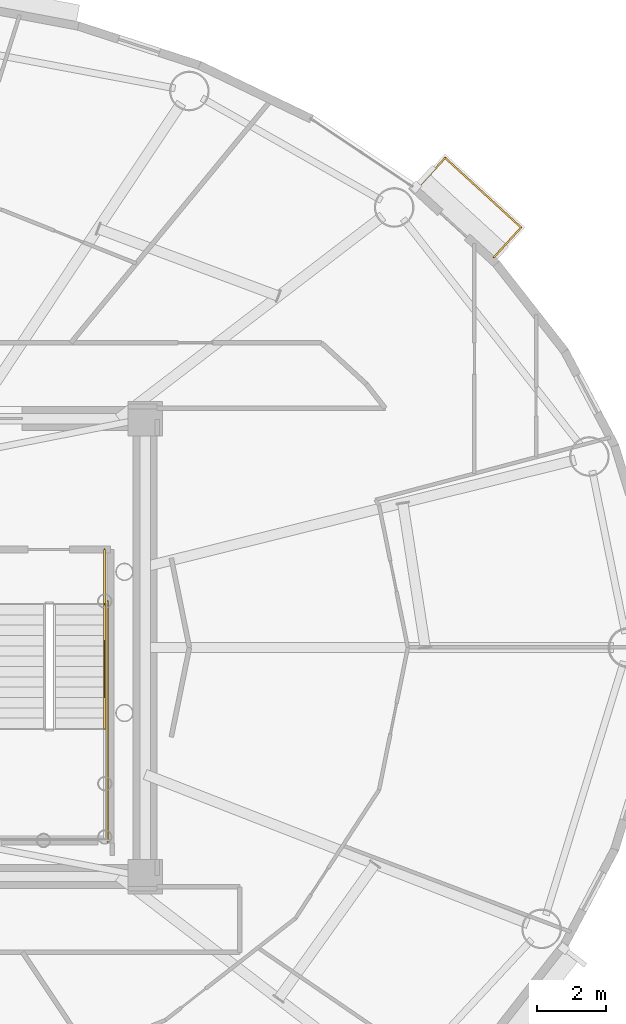
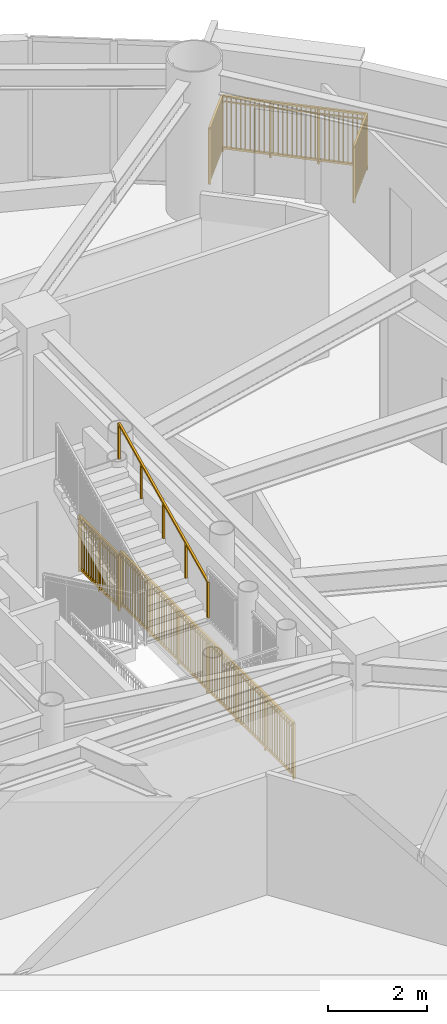
# One storey, part 18 of 19: 4 railings.
"""IFC4 building model written with IfcOpenShell, lengths in metres."""

from ifc_helpers import new_model, si_unit, direction, frame, origin, origin_2d, place, context, subcontext, project, spatial, rectangle, extrude, source, transform, mapped, material, type_object, element, save


model = new_model("IFC4")

# Units and contexts
model_context = context("Model", 3, precision=1e-05, world=origin(), true_north=direction((0.0, 1.0)))
body_context = subcontext(model_context, "Body", "Model", "MODEL_VIEW")
ifc_project = project(units=[si_unit("LENGTHUNIT", "METRE"), si_unit("AREAUNIT", "SQUARE_METRE"), si_unit("VOLUMEUNIT", "CUBIC_METRE"), si_unit("PLANEANGLEUNIT", "RADIAN"), si_unit("MASSUNIT", "GRAM", prefix="KILO")], contexts=[model_context])

# Site, building, storey
site_placement = place(None, origin())
site = spatial("IfcSite", under=ifc_project, at=site_placement, CompositionType="ELEMENT")
building_placement = place(site_placement, origin())
building = spatial("IfcBuilding", under=site, at=building_placement, Name="Linh Dai School and Residence Tower", CompositionType="ELEMENT")
storey_placement = place(building_placement, frame((0.0, 0.0, 247.800048828125)))
storey = spatial("IfcBuildingStorey", under=building, at=storey_placement, Name="L61", CompositionType="ELEMENT", Elevation=247.800048828125)

# Railings
ifc_material_1 = material(Name="Structural Steel S355JR", Category="steel")
railing_type_1 = type_object("IfcRailingType", Name="RL-BAL-1400", PredefinedType="BALUSTRADE", material=ifc_material_1)
shared_shape_1 = source(origin(), body_context, "Body", "SweptSolid", [
    extrude(rectangle(XDim=0.048095703125, YDim=0.048095703125, at=origin_2d()), frame((0.0, 0.0, 1.3759765625), z_axis=(0.675715259685, 0.737162728187, 0.0), x_axis=(-0.737162728187, 0.675715259685, 0.0)), (0.0, 0.0, 1.0), 1.179931640625),
    extrude(rectangle(XDim=0.048095703125, YDim=0.048095703125, at=origin_2d()), frame((0.0, 0.0, 0.10009765625), z_axis=(0.675715259685, 0.737162728187, 0.0), x_axis=(-0.737162728187, 0.675715259685, 0.0)), (0.0, 0.0, 1.0), 1.179931640625),
    extrude(rectangle(XDim=0.030029296875, YDim=0.030029296875, at=origin_2d()), frame((0.0, 0.0, 1.239990234375), z_axis=(0.675715259685, 0.737162728187, 0.0), x_axis=(-0.737162728187, 0.675715259685, 0.0)), (0.0, 0.0, 1.0), 1.179931640625),
    extrude(rectangle(XDim=0.02001953125, YDim=0.02001953125, at=origin_2d()), frame((0.061279296875, 0.06689453125, 0.10009765625)), (0.0, 0.0, 1.0), 1.251708984375),
    extrude(rectangle(XDim=0.02001953125, YDim=0.02001953125, at=origin_2d()), frame((0.12255859375, 0.1337890625, 0.10009765625)), (0.0, 0.0, 1.0), 1.251708984375),
    extrude(rectangle(XDim=0.02001953125, YDim=0.02001953125, at=origin_2d()), frame((0.18408203125, 0.20068359375, 0.10009765625)), (0.0, 0.0, 1.0), 1.251708984375),
    extrude(rectangle(XDim=0.02001953125, YDim=0.02001953125, at=origin_2d()), frame((0.245361328125, 0.267578125, 0.10009765625)), (0.0, 0.0, 1.0), 1.251708984375),
    extrude(rectangle(XDim=0.02001953125, YDim=0.02001953125, at=origin_2d()), frame((0.306640625, 0.33447265625, 0.10009765625)), (0.0, 0.0, 1.0), 1.251708984375),
    extrude(rectangle(XDim=0.02001953125, YDim=0.02001953125, at=origin_2d()), frame((0.367919921875, 0.4013671875, 0.10009765625)), (0.0, 0.0, 1.0), 1.251708984375),
    extrude(rectangle(XDim=0.02001953125, YDim=0.02001953125, at=origin_2d()), frame((0.429443359375, 0.468505859375, 0.10009765625)), (0.0, 0.0, 1.0), 1.251708984375),
    extrude(rectangle(XDim=0.02001953125, YDim=0.02001953125, at=origin_2d()), frame((0.49072265625, 0.535400390625, 0.10009765625)), (0.0, 0.0, 1.0), 1.251708984375),
    extrude(rectangle(XDim=0.02001953125, YDim=0.02001953125, at=origin_2d()), frame((0.552001953125, 0.602294921875, 0.10009765625)), (0.0, 0.0, 1.0), 1.251708984375),
    extrude(rectangle(XDim=0.02001953125, YDim=0.02001953125, at=origin_2d()), frame((0.61328125, 0.669189453125, 0.10009765625)), (0.0, 0.0, 1.0), 1.251708984375),
    extrude(rectangle(XDim=0.02001953125, YDim=0.02001953125, at=origin_2d()), frame((0.6748046875, 0.736083984375, 0.10009765625)), (0.0, 0.0, 1.0), 1.251708984375),
    extrude(rectangle(XDim=0.02001953125, YDim=0.02001953125, at=origin_2d()), frame((0.736083984375, 0.802978515625, 0.10009765625)), (0.0, 0.0, 1.0), 1.251708984375),
    extrude(rectangle(XDim=0.048095703125, YDim=0.048095703125, at=origin_2d()), frame((0.79736328125, 0.869873046875, 1.3759765625), z_axis=(0.737143984648, -0.675735707135, 0.0), x_axis=(0.675735707135, 0.737143984648, 0.0)), (0.0, 0.0, 1.0), 2.99365234375),
    extrude(rectangle(XDim=0.048095703125, YDim=0.048095703125, at=origin_2d()), frame((0.79736328125, 0.869873046875, 0.10009765625), z_axis=(0.737143984648, -0.675735707135, 0.0), x_axis=(0.675735707135, 0.737143984648, 0.0)), (0.0, 0.0, 1.0), 2.99365234375),
    extrude(rectangle(XDim=0.030029296875, YDim=0.030029296875, at=origin_2d()), frame((0.79736328125, 0.869873046875, 1.239990234375), z_axis=(0.737143984648, -0.675735707135, 0.0), x_axis=(0.675735707135, 0.737143984648, 0.0)), (0.0, 0.0, 1.0), 2.99365234375),
    extrude(rectangle(XDim=0.02001953125, YDim=0.02001953125, at=origin_2d()), frame((0.86865234375, 0.8046875, 0.10009765625)), (0.0, 0.0, 1.0), 1.251708984375),
    extrude(rectangle(XDim=0.02001953125, YDim=0.02001953125, at=origin_2d()), frame((0.939697265625, 0.7392578125, 0.10009765625)), (0.0, 0.0, 1.0), 1.251708984375),
    extrude(rectangle(XDim=0.02001953125, YDim=0.02001953125, at=origin_2d()), frame((1.010986328125, 0.674072265625, 0.10009765625)), (0.0, 0.0, 1.0), 1.251708984375),
    extrude(rectangle(XDim=0.02001953125, YDim=0.02001953125, at=origin_2d()), frame((1.08203125, 0.60888671875, 0.10009765625)), (0.0, 0.0, 1.0), 1.251708984375),
    extrude(rectangle(XDim=0.02001953125, YDim=0.02001953125, at=origin_2d()), frame((1.1533203125, 0.543701171875, 0.10009765625)), (0.0, 0.0, 1.0), 1.251708984375),
    extrude(rectangle(XDim=0.02001953125, YDim=0.02001953125, at=origin_2d()), frame((1.224365234375, 0.478271484375, 0.10009765625)), (0.0, 0.0, 1.0), 1.251708984375),
    extrude(rectangle(XDim=0.02001953125, YDim=0.02001953125, at=origin_2d()), frame((1.295654296875, 0.4130859375, 0.10009765625)), (0.0, 0.0, 1.0), 1.251708984375),
    extrude(rectangle(XDim=0.02001953125, YDim=0.02001953125, at=origin_2d()), frame((1.366943359375, 0.347900390625, 0.10009765625)), (0.0, 0.0, 1.0), 1.251708984375),
    extrude(rectangle(XDim=0.02001953125, YDim=0.02001953125, at=origin_2d()), frame((1.43798828125, 0.282470703125, 0.10009765625)), (0.0, 0.0, 1.0), 1.251708984375),
    extrude(rectangle(XDim=0.02001953125, YDim=0.02001953125, at=origin_2d()), frame((1.580322265625, 0.152099609375, 0.10009765625)), (0.0, 0.0, 1.0), 1.251708984375),
    extrude(rectangle(XDim=0.02001953125, YDim=0.02001953125, at=origin_2d()), frame((1.651611328125, 0.0869140625, 0.10009765625)), (0.0, 0.0, 1.0), 1.251708984375),
    extrude(rectangle(XDim=0.02001953125, YDim=0.02001953125, at=origin_2d()), frame((1.722900390625, 0.021484375, 0.10009765625)), (0.0, 0.0, 1.0), 1.251708984375),
    extrude(rectangle(XDim=0.02001953125, YDim=0.02001953125, at=origin_2d()), frame((1.7939453125, -0.043701171875, 0.10009765625)), (0.0, 0.0, 1.0), 1.251708984375),
    extrude(rectangle(XDim=0.02001953125, YDim=0.02001953125, at=origin_2d()), frame((1.865234375, -0.10888671875, 0.10009765625)), (0.0, 0.0, 1.0), 1.251708984375),
    extrude(rectangle(XDim=0.02001953125, YDim=0.02001953125, at=origin_2d()), frame((1.936279296875, -0.17431640625, 0.10009765625)), (0.0, 0.0, 1.0), 1.251708984375),
    extrude(rectangle(XDim=0.02001953125, YDim=0.02001953125, at=origin_2d()), frame((2.007568359375, -0.239501953125, 0.10009765625)), (0.0, 0.0, 1.0), 1.251708984375),
    extrude(rectangle(XDim=0.02001953125, YDim=0.02001953125, at=origin_2d()), frame((2.07861328125, -0.3046875, 0.10009765625)), (0.0, 0.0, 1.0), 1.251708984375),
    extrude(rectangle(XDim=0.02001953125, YDim=0.02001953125, at=origin_2d()), frame((2.14990234375, -0.3701171875, 0.10009765625)), (0.0, 0.0, 1.0), 1.251708984375),
    extrude(rectangle(XDim=0.02001953125, YDim=0.02001953125, at=origin_2d()), frame((2.22119140625, -0.435302734375, 0.10009765625)), (0.0, 0.0, 1.0), 1.251708984375),
    extrude(rectangle(XDim=0.02001953125, YDim=0.02001953125, at=origin_2d()), frame((2.363525390625, -0.565673828125, 0.10009765625)), (0.0, 0.0, 1.0), 1.251708984375),
    extrude(rectangle(XDim=0.02001953125, YDim=0.02001953125, at=origin_2d()), frame((2.4345703125, -0.631103515625, 0.10009765625)), (0.0, 0.0, 1.0), 1.251708984375),
    extrude(rectangle(XDim=0.02001953125, YDim=0.02001953125, at=origin_2d()), frame((2.505859375, -0.6962890625, 0.10009765625)), (0.0, 0.0, 1.0), 1.251708984375),
    extrude(rectangle(XDim=0.02001953125, YDim=0.02001953125, at=origin_2d()), frame((2.5771484375, -0.761474609375, 0.10009765625)), (0.0, 0.0, 1.0), 1.251708984375),
    extrude(rectangle(XDim=0.02001953125, YDim=0.02001953125, at=origin_2d()), frame((2.648193359375, -0.826904296875, 0.10009765625)), (0.0, 0.0, 1.0), 1.251708984375),
    extrude(rectangle(XDim=0.02001953125, YDim=0.02001953125, at=origin_2d()), frame((2.719482421875, -0.89208984375, 0.10009765625)), (0.0, 0.0, 1.0), 1.251708984375),
    extrude(rectangle(XDim=0.02001953125, YDim=0.02001953125, at=origin_2d()), frame((2.79052734375, -0.957275390625, 0.10009765625)), (0.0, 0.0, 1.0), 1.251708984375),
    extrude(rectangle(XDim=0.02001953125, YDim=0.02001953125, at=origin_2d()), frame((2.86181640625, -1.0224609375, 0.10009765625)), (0.0, 0.0, 1.0), 1.251708984375),
    extrude(rectangle(XDim=0.02001953125, YDim=0.02001953125, at=origin_2d()), frame((2.932861328125, -1.087890625, 0.10009765625)), (0.0, 0.0, 1.0), 1.251708984375),
    extrude(rectangle(XDim=0.048095703125, YDim=0.048095703125, at=origin_2d()), frame((3.004150390625, -1.153076171875, 1.3759765625), z_axis=(-0.675715259685, -0.737162728187, 0.0), x_axis=(0.737162728187, -0.675715259685, 0.0)), (0.0, 0.0, 1.0), 1.179931640625),
    extrude(rectangle(XDim=0.048095703125, YDim=0.048095703125, at=origin_2d()), frame((3.004150390625, -1.153076171875, 0.10009765625), z_axis=(-0.675715259685, -0.737162728187, 0.0), x_axis=(0.737162728187, -0.675715259685, 0.0)), (0.0, 0.0, 1.0), 1.179931640625),
    extrude(rectangle(XDim=0.030029296875, YDim=0.030029296875, at=origin_2d()), frame((3.004150390625, -1.153076171875, 1.239990234375), z_axis=(-0.675715259685, -0.737162728187, 0.0), x_axis=(0.737162728187, -0.675715259685, 0.0)), (0.0, 0.0, 1.0), 1.179931640625),
    extrude(rectangle(XDim=0.02001953125, YDim=0.02001953125, at=origin_2d()), frame((2.94287109375, -1.219970703125, 0.10009765625)), (0.0, 0.0, 1.0), 1.251708984375),
    extrude(rectangle(XDim=0.02001953125, YDim=0.02001953125, at=origin_2d()), frame((2.881591796875, -1.286865234375, 0.10009765625)), (0.0, 0.0, 1.0), 1.251708984375),
    extrude(rectangle(XDim=0.02001953125, YDim=0.02001953125, at=origin_2d()), frame((2.820068359375, -1.353759765625, 0.10009765625)), (0.0, 0.0, 1.0), 1.251708984375),
    extrude(rectangle(XDim=0.02001953125, YDim=0.02001953125, at=origin_2d()), frame((2.7587890625, -1.420654296875, 0.10009765625)), (0.0, 0.0, 1.0), 1.251708984375),
    extrude(rectangle(XDim=0.02001953125, YDim=0.02001953125, at=origin_2d()), frame((2.697509765625, -1.487548828125, 0.10009765625)), (0.0, 0.0, 1.0), 1.251708984375),
    extrude(rectangle(XDim=0.02001953125, YDim=0.02001953125, at=origin_2d()), frame((2.63623046875, -1.554443359375, 0.10009765625)), (0.0, 0.0, 1.0), 1.251708984375),
    extrude(rectangle(XDim=0.02001953125, YDim=0.02001953125, at=origin_2d()), frame((2.57470703125, -1.62158203125, 0.10009765625)), (0.0, 0.0, 1.0), 1.251708984375),
    extrude(rectangle(XDim=0.02001953125, YDim=0.02001953125, at=origin_2d()), frame((2.513427734375, -1.6884765625, 0.10009765625)), (0.0, 0.0, 1.0), 1.251708984375),
    extrude(rectangle(XDim=0.02001953125, YDim=0.02001953125, at=origin_2d()), frame((2.4521484375, -1.75537109375, 0.10009765625)), (0.0, 0.0, 1.0), 1.251708984375),
    extrude(rectangle(XDim=0.02001953125, YDim=0.02001953125, at=origin_2d()), frame((2.390869140625, -1.822265625, 0.10009765625)), (0.0, 0.0, 1.0), 1.251708984375),
    extrude(rectangle(XDim=0.02001953125, YDim=0.02001953125, at=origin_2d()), frame((2.329345703125, -1.88916015625, 0.10009765625)), (0.0, 0.0, 1.0), 1.251708984375),
    extrude(rectangle(XDim=0.02001953125, YDim=0.02001953125, at=origin_2d()), frame((2.26806640625, -1.9560546875, 0.10009765625)), (0.0, 0.0, 1.0), 1.251708984375),
    extrude(rectangle(XDim=0.0419921875, YDim=0.0419921875, at=origin_2d()), origin(), (0.0, 0.0, 1.0), 1.3759765625),
    extrude(rectangle(XDim=0.0419921875, YDim=0.0419921875, at=origin_2d()), frame((0.79736328125, 0.869873046875, 0.0)), (0.0, 0.0, 1.0), 1.3759765625),
    extrude(rectangle(XDim=0.0419921875, YDim=0.0419921875, at=origin_2d()), frame((1.532958984375, 0.195556640625, 0.0)), (0.0, 0.0, 1.0), 1.3759765625),
    extrude(rectangle(XDim=0.0419921875, YDim=0.0419921875, at=origin_2d()), frame((2.2685546875, -0.478759765625, 0.0)), (0.0, 0.0, 1.0), 1.3759765625),
    extrude(rectangle(XDim=0.0419921875, YDim=0.0419921875, at=origin_2d()), frame((3.004150390625, -1.153076171875, 0.0)), (0.0, 0.0, 1.0), 1.3759765625),
    extrude(rectangle(XDim=0.0419921875, YDim=0.0419921875, at=origin_2d()), frame((2.206787109375, -2.02294921875, 0.0)), (0.0, 0.0, 1.0), 1.3759765625),
])
railing_1_placement = place(storey_placement, frame((53.366455078125, 40.351806640625, 0.0)))
element("IfcRailing", 1, at=railing_1_placement, inside=storey, type_object=railing_type_1, Name="L61 Balcony Safety Balustrade 05", PredefinedType="BALUSTRADE", context=body_context, shape_type="MappedRepresentation", body=[
    mapped(shared_shape_1, transform((0.0, 0.0, 0.0), x_axis=(1.0, 0.0, 0.0), y_axis=(0.0, 1.0, 0.0), z_axis=(0.0, 0.0, 1.0), scale=1.0)),
])
ifc_material_2 = material(Name="Brushed Stainless Steel Handrail", Category="steel")
railing_type_2 = type_object("IfcRailingType", Name="RL-ST-HANDRAIL-900", PredefinedType="HANDRAIL", material=ifc_material_2)
shared_shape_2 = source(origin(), body_context, "Body", "SweptSolid", [
    extrude(rectangle(XDim=0.048095703125, YDim=0.048095703125, at=origin_2d()), frame((0.0, 0.0, 0.8759765625), z_axis=(0.0, 0.901262522062, 0.433273431364), x_axis=(-1.0, 0.0, 0.0)), (0.0, 0.0, 1.0), 3.994384765625),
    extrude(rectangle(XDim=0.0419921875, YDim=0.0419921875, at=origin_2d()), origin(), (0.0, 0.0, 1.0), 0.8759765625),
    extrude(rectangle(XDim=0.0419921875, YDim=0.0419921875, at=origin_2d()), frame((0.0, 0.89990234375, 0.4326171875)), (0.0, 0.0, 1.0), 0.8759765625),
    extrude(rectangle(XDim=0.0419921875, YDim=0.0419921875, at=origin_2d()), frame((0.0, 1.800048828125, 0.865234375)), (0.0, 0.0, 1.0), 0.8759765625),
    extrude(rectangle(XDim=0.0419921875, YDim=0.0419921875, at=origin_2d()), frame((0.0, 2.7001953125, 1.298095703125)), (0.0, 0.0, 1.0), 0.8759765625),
    extrude(rectangle(XDim=0.0419921875, YDim=0.0419921875, at=origin_2d()), frame((0.0, 3.60009765625, 1.730712890625)), (0.0, 0.0, 1.0), 0.8759765625),
])
railing_2_placement = place(storey_placement, frame((44.27001953125, 24.64990234375, 2.019287109375)))
element("IfcRailing", 2, at=railing_2_placement, inside=storey, type_object=railing_type_2, Name="L61 ST2 stair handrail 2", PredefinedType="HANDRAIL", context=body_context, shape_type="MappedRepresentation", body=[
    mapped(shared_shape_2, transform((0.0, 0.0, 0.0), x_axis=(1.0, 0.0, 0.0), y_axis=(0.0, 1.0, 0.0), z_axis=(0.0, 0.0, 1.0), scale=1.0)),
])
railing_type_3 = type_object("IfcRailingType", Name="RL-ST-GUARD-1400", PredefinedType="GUARDRAIL", material=ifc_material_1)
shared_shape_3 = source(origin(), body_context, "Body", "SweptSolid", [
    extrude(rectangle(XDim=0.048095703125, YDim=0.048095703125, at=origin_2d()), frame((0.0, 0.0, 1.3759765625), z_axis=(0.0, -1.0, 0.0), x_axis=(1.0, 0.0, 0.0)), (0.0, 0.0, 1.0), 1.60009765625),
    extrude(rectangle(XDim=0.048095703125, YDim=0.048095703125, at=origin_2d()), frame((0.0, 0.0, 0.10009765625), z_axis=(0.0, -1.0, 0.0), x_axis=(1.0, 0.0, 0.0)), (0.0, 0.0, 1.0), 1.60009765625),
    extrude(rectangle(XDim=0.030029296875, YDim=0.030029296875, at=origin_2d()), frame((0.0, 0.0, 1.239990234375), z_axis=(0.0, -1.0, 0.0), x_axis=(1.0, 0.0, 0.0)), (0.0, 0.0, 1.0), 1.60009765625),
    extrude(rectangle(XDim=0.02001953125, YDim=0.02001953125, at=origin_2d()), frame((0.0, -0.09423828125, 0.10009765625)), (0.0, 0.0, 1.0), 1.251708984375),
    extrude(rectangle(XDim=0.02001953125, YDim=0.02001953125, at=origin_2d()), frame((0.0, -0.188232421875, 0.10009765625)), (0.0, 0.0, 1.0), 1.251708984375),
    extrude(rectangle(XDim=0.02001953125, YDim=0.02001953125, at=origin_2d()), frame((0.0, -0.282470703125, 0.10009765625)), (0.0, 0.0, 1.0), 1.251708984375),
    extrude(rectangle(XDim=0.02001953125, YDim=0.02001953125, at=origin_2d()), frame((0.0, -0.37646484375, 0.10009765625)), (0.0, 0.0, 1.0), 1.251708984375),
    extrude(rectangle(XDim=0.02001953125, YDim=0.02001953125, at=origin_2d()), frame((0.0, -0.470703125, 0.10009765625)), (0.0, 0.0, 1.0), 1.251708984375),
    extrude(rectangle(XDim=0.02001953125, YDim=0.02001953125, at=origin_2d()), frame((0.0, -0.564697265625, 0.10009765625)), (0.0, 0.0, 1.0), 1.251708984375),
    extrude(rectangle(XDim=0.02001953125, YDim=0.02001953125, at=origin_2d()), frame((0.0, -0.658935546875, 0.10009765625)), (0.0, 0.0, 1.0), 1.251708984375),
    extrude(rectangle(XDim=0.02001953125, YDim=0.02001953125, at=origin_2d()), frame((0.0, -0.7529296875, 0.10009765625)), (0.0, 0.0, 1.0), 1.251708984375),
    extrude(rectangle(XDim=0.02001953125, YDim=0.02001953125, at=origin_2d()), frame((0.0, -0.84716796875, 0.10009765625)), (0.0, 0.0, 1.0), 1.251708984375),
    extrude(rectangle(XDim=0.02001953125, YDim=0.02001953125, at=origin_2d()), frame((0.0, -0.941162109375, 0.10009765625)), (0.0, 0.0, 1.0), 1.251708984375),
    extrude(rectangle(XDim=0.02001953125, YDim=0.02001953125, at=origin_2d()), frame((0.0, -1.035400390625, 0.10009765625)), (0.0, 0.0, 1.0), 1.251708984375),
    extrude(rectangle(XDim=0.02001953125, YDim=0.02001953125, at=origin_2d()), frame((0.0, -1.12939453125, 0.10009765625)), (0.0, 0.0, 1.0), 1.251708984375),
    extrude(rectangle(XDim=0.02001953125, YDim=0.02001953125, at=origin_2d()), frame((0.0, -1.2236328125, 0.10009765625)), (0.0, 0.0, 1.0), 1.251708984375),
    extrude(rectangle(XDim=0.02001953125, YDim=0.02001953125, at=origin_2d()), frame((0.0, -1.317626953125, 0.10009765625)), (0.0, 0.0, 1.0), 1.251708984375),
    extrude(rectangle(XDim=0.02001953125, YDim=0.02001953125, at=origin_2d()), frame((0.0, -1.411865234375, 0.10009765625)), (0.0, 0.0, 1.0), 1.251708984375),
    extrude(rectangle(XDim=0.02001953125, YDim=0.02001953125, at=origin_2d()), frame((0.0, -1.505859375, 0.10009765625)), (0.0, 0.0, 1.0), 1.251708984375),
    extrude(rectangle(XDim=0.0419921875, YDim=0.0419921875, at=origin_2d()), origin(), (0.0, 0.0, 1.0), 1.3759765625),
    extrude(rectangle(XDim=0.0419921875, YDim=0.0419921875, at=origin_2d()), frame((0.0, -0.800048828125, 0.0)), (0.0, 0.0, 1.0), 1.3759765625),
    extrude(rectangle(XDim=0.0419921875, YDim=0.0419921875, at=origin_2d()), frame((0.0, -1.60009765625, 0.0)), (0.0, 0.0, 1.0), 1.3759765625),
])
railing_3_placement = place(storey_placement, frame((44.27001953125, 29.85009765625, 0.0)))
element("IfcRailing", 3, at=railing_3_placement, inside=storey, type_object=railing_type_3, Name="L61 ST2 stair guard 9", PredefinedType="GUARDRAIL", context=body_context, shape_type="MappedRepresentation", body=[
    mapped(shared_shape_3, transform((0.0, 0.0, 0.0), x_axis=(1.0, 0.0, 0.0), y_axis=(0.0, 1.0, 0.0), z_axis=(0.0, 0.0, 1.0), scale=1.0)),
])
shared_shape_4 = source(origin(), body_context, "Body", "SweptSolid", [
    extrude(rectangle(XDim=0.048095703125, YDim=0.048095703125, at=origin_2d()), frame((0.0, 0.0, 1.3759765625), z_axis=(0.0, -1.0, 0.0), x_axis=(1.0, 0.0, 0.0)), (0.0, 0.0, 1.0), 7.0),
    extrude(rectangle(XDim=0.048095703125, YDim=0.048095703125, at=origin_2d()), frame((0.0, 0.0, 0.10009765625), z_axis=(0.0, -1.0, 0.0), x_axis=(1.0, 0.0, 0.0)), (0.0, 0.0, 1.0), 7.0),
    extrude(rectangle(XDim=0.030029296875, YDim=0.030029296875, at=origin_2d()), frame((0.0, 0.0, 1.239990234375), z_axis=(0.0, -1.0, 0.0), x_axis=(1.0, 0.0, 0.0)), (0.0, 0.0, 1.0), 7.0),
    extrude(rectangle(XDim=0.02001953125, YDim=0.02001953125, at=origin_2d()), frame((0.0, -0.09716796875, 0.10009765625)), (0.0, 0.0, 1.0), 1.251708984375),
    extrude(rectangle(XDim=0.02001953125, YDim=0.02001953125, at=origin_2d()), frame((0.0, -0.1943359375, 0.10009765625)), (0.0, 0.0, 1.0), 1.251708984375),
    extrude(rectangle(XDim=0.02001953125, YDim=0.02001953125, at=origin_2d()), frame((0.0, -0.291748046875, 0.10009765625)), (0.0, 0.0, 1.0), 1.251708984375),
    extrude(rectangle(XDim=0.02001953125, YDim=0.02001953125, at=origin_2d()), frame((0.0, -0.388916015625, 0.10009765625)), (0.0, 0.0, 1.0), 1.251708984375),
    extrude(rectangle(XDim=0.02001953125, YDim=0.02001953125, at=origin_2d()), frame((0.0, -0.486083984375, 0.10009765625)), (0.0, 0.0, 1.0), 1.251708984375),
    extrude(rectangle(XDim=0.02001953125, YDim=0.02001953125, at=origin_2d()), frame((0.0, -0.583251953125, 0.10009765625)), (0.0, 0.0, 1.0), 1.251708984375),
    extrude(rectangle(XDim=0.02001953125, YDim=0.02001953125, at=origin_2d()), frame((0.0, -0.6806640625, 0.10009765625)), (0.0, 0.0, 1.0), 1.251708984375),
    extrude(rectangle(XDim=0.02001953125, YDim=0.02001953125, at=origin_2d()), frame((0.0, -0.77783203125, 0.10009765625)), (0.0, 0.0, 1.0), 1.251708984375),
    extrude(rectangle(XDim=0.02001953125, YDim=0.02001953125, at=origin_2d()), frame((0.0, -0.875, 0.10009765625)), (0.0, 0.0, 1.0), 1.251708984375),
    extrude(rectangle(XDim=0.02001953125, YDim=0.02001953125, at=origin_2d()), frame((0.0, -0.97216796875, 0.10009765625)), (0.0, 0.0, 1.0), 1.251708984375),
    extrude(rectangle(XDim=0.02001953125, YDim=0.02001953125, at=origin_2d()), frame((0.0, -1.0693359375, 0.10009765625)), (0.0, 0.0, 1.0), 1.251708984375),
    extrude(rectangle(XDim=0.02001953125, YDim=0.02001953125, at=origin_2d()), frame((0.0, -1.263916015625, 0.10009765625)), (0.0, 0.0, 1.0), 1.251708984375),
    extrude(rectangle(XDim=0.02001953125, YDim=0.02001953125, at=origin_2d()), frame((0.0, -1.361083984375, 0.10009765625)), (0.0, 0.0, 1.0), 1.251708984375),
    extrude(rectangle(XDim=0.02001953125, YDim=0.02001953125, at=origin_2d()), frame((0.0, -1.458251953125, 0.10009765625)), (0.0, 0.0, 1.0), 1.251708984375),
    extrude(rectangle(XDim=0.02001953125, YDim=0.02001953125, at=origin_2d()), frame((0.0, -1.5556640625, 0.10009765625)), (0.0, 0.0, 1.0), 1.251708984375),
    extrude(rectangle(XDim=0.02001953125, YDim=0.02001953125, at=origin_2d()), frame((0.0, -1.65283203125, 0.10009765625)), (0.0, 0.0, 1.0), 1.251708984375),
    extrude(rectangle(XDim=0.02001953125, YDim=0.02001953125, at=origin_2d()), frame((0.0, -1.75, 0.10009765625)), (0.0, 0.0, 1.0), 1.251708984375),
    extrude(rectangle(XDim=0.02001953125, YDim=0.02001953125, at=origin_2d()), frame((0.0, -1.84716796875, 0.10009765625)), (0.0, 0.0, 1.0), 1.251708984375),
    extrude(rectangle(XDim=0.02001953125, YDim=0.02001953125, at=origin_2d()), frame((0.0, -1.9443359375, 0.10009765625)), (0.0, 0.0, 1.0), 1.251708984375),
    extrude(rectangle(XDim=0.02001953125, YDim=0.02001953125, at=origin_2d()), frame((0.0, -2.041748046875, 0.10009765625)), (0.0, 0.0, 1.0), 1.251708984375),
    extrude(rectangle(XDim=0.02001953125, YDim=0.02001953125, at=origin_2d()), frame((0.0, -2.138916015625, 0.10009765625)), (0.0, 0.0, 1.0), 1.251708984375),
    extrude(rectangle(XDim=0.02001953125, YDim=0.02001953125, at=origin_2d()), frame((0.0, -2.236083984375, 0.10009765625)), (0.0, 0.0, 1.0), 1.251708984375),
    extrude(rectangle(XDim=0.02001953125, YDim=0.02001953125, at=origin_2d()), frame((0.0, -2.4306640625, 0.10009765625)), (0.0, 0.0, 1.0), 1.251708984375),
    extrude(rectangle(XDim=0.02001953125, YDim=0.02001953125, at=origin_2d()), frame((0.0, -2.52783203125, 0.10009765625)), (0.0, 0.0, 1.0), 1.251708984375),
    extrude(rectangle(XDim=0.02001953125, YDim=0.02001953125, at=origin_2d()), frame((0.0, -2.625, 0.10009765625)), (0.0, 0.0, 1.0), 1.251708984375),
    extrude(rectangle(XDim=0.02001953125, YDim=0.02001953125, at=origin_2d()), frame((0.0, -2.72216796875, 0.10009765625)), (0.0, 0.0, 1.0), 1.251708984375),
    extrude(rectangle(XDim=0.02001953125, YDim=0.02001953125, at=origin_2d()), frame((0.0, -2.8193359375, 0.10009765625)), (0.0, 0.0, 1.0), 1.251708984375),
    extrude(rectangle(XDim=0.02001953125, YDim=0.02001953125, at=origin_2d()), frame((0.0, -2.916748046875, 0.10009765625)), (0.0, 0.0, 1.0), 1.251708984375),
    extrude(rectangle(XDim=0.02001953125, YDim=0.02001953125, at=origin_2d()), frame((0.0, -3.013916015625, 0.10009765625)), (0.0, 0.0, 1.0), 1.251708984375),
    extrude(rectangle(XDim=0.02001953125, YDim=0.02001953125, at=origin_2d()), frame((0.0, -3.111083984375, 0.10009765625)), (0.0, 0.0, 1.0), 1.251708984375),
    extrude(rectangle(XDim=0.02001953125, YDim=0.02001953125, at=origin_2d()), frame((0.0, -3.208251953125, 0.10009765625)), (0.0, 0.0, 1.0), 1.251708984375),
    extrude(rectangle(XDim=0.02001953125, YDim=0.02001953125, at=origin_2d()), frame((0.0, -3.3056640625, 0.10009765625)), (0.0, 0.0, 1.0), 1.251708984375),
    extrude(rectangle(XDim=0.02001953125, YDim=0.02001953125, at=origin_2d()), frame((0.0, -3.40283203125, 0.10009765625)), (0.0, 0.0, 1.0), 1.251708984375),
    extrude(rectangle(XDim=0.02001953125, YDim=0.02001953125, at=origin_2d()), frame((0.0, -3.59716796875, 0.10009765625)), (0.0, 0.0, 1.0), 1.251708984375),
    extrude(rectangle(XDim=0.02001953125, YDim=0.02001953125, at=origin_2d()), frame((0.0, -3.6943359375, 0.10009765625)), (0.0, 0.0, 1.0), 1.251708984375),
    extrude(rectangle(XDim=0.02001953125, YDim=0.02001953125, at=origin_2d()), frame((0.0, -3.791748046875, 0.10009765625)), (0.0, 0.0, 1.0), 1.251708984375),
    extrude(rectangle(XDim=0.02001953125, YDim=0.02001953125, at=origin_2d()), frame((0.0, -3.888916015625, 0.10009765625)), (0.0, 0.0, 1.0), 1.251708984375),
    extrude(rectangle(XDim=0.02001953125, YDim=0.02001953125, at=origin_2d()), frame((0.0, -3.986083984375, 0.10009765625)), (0.0, 0.0, 1.0), 1.251708984375),
    extrude(rectangle(XDim=0.02001953125, YDim=0.02001953125, at=origin_2d()), frame((0.0, -4.083251953125, 0.10009765625)), (0.0, 0.0, 1.0), 1.251708984375),
    extrude(rectangle(XDim=0.02001953125, YDim=0.02001953125, at=origin_2d()), frame((0.0, -4.1806640625, 0.10009765625)), (0.0, 0.0, 1.0), 1.251708984375),
    extrude(rectangle(XDim=0.02001953125, YDim=0.02001953125, at=origin_2d()), frame((0.0, -4.27783203125, 0.10009765625)), (0.0, 0.0, 1.0), 1.251708984375),
    extrude(rectangle(XDim=0.02001953125, YDim=0.02001953125, at=origin_2d()), frame((0.0, -4.375, 0.10009765625)), (0.0, 0.0, 1.0), 1.251708984375),
    extrude(rectangle(XDim=0.02001953125, YDim=0.02001953125, at=origin_2d()), frame((0.0, -4.47216796875, 0.10009765625)), (0.0, 0.0, 1.0), 1.251708984375),
    extrude(rectangle(XDim=0.02001953125, YDim=0.02001953125, at=origin_2d()), frame((0.0, -4.5693359375, 0.10009765625)), (0.0, 0.0, 1.0), 1.251708984375),
    extrude(rectangle(XDim=0.02001953125, YDim=0.02001953125, at=origin_2d()), frame((0.0, -4.763916015625, 0.10009765625)), (0.0, 0.0, 1.0), 1.251708984375),
    extrude(rectangle(XDim=0.02001953125, YDim=0.02001953125, at=origin_2d()), frame((0.0, -4.861083984375, 0.10009765625)), (0.0, 0.0, 1.0), 1.251708984375),
    extrude(rectangle(XDim=0.02001953125, YDim=0.02001953125, at=origin_2d()), frame((0.0, -4.958251953125, 0.10009765625)), (0.0, 0.0, 1.0), 1.251708984375),
    extrude(rectangle(XDim=0.02001953125, YDim=0.02001953125, at=origin_2d()), frame((0.0, -5.0556640625, 0.10009765625)), (0.0, 0.0, 1.0), 1.251708984375),
    extrude(rectangle(XDim=0.02001953125, YDim=0.02001953125, at=origin_2d()), frame((0.0, -5.15283203125, 0.10009765625)), (0.0, 0.0, 1.0), 1.251708984375),
    extrude(rectangle(XDim=0.02001953125, YDim=0.02001953125, at=origin_2d()), frame((0.0, -5.25, 0.10009765625)), (0.0, 0.0, 1.0), 1.251708984375),
    extrude(rectangle(XDim=0.02001953125, YDim=0.02001953125, at=origin_2d()), frame((0.0, -5.34716796875, 0.10009765625)), (0.0, 0.0, 1.0), 1.251708984375),
    extrude(rectangle(XDim=0.02001953125, YDim=0.02001953125, at=origin_2d()), frame((0.0, -5.4443359375, 0.10009765625)), (0.0, 0.0, 1.0), 1.251708984375),
    extrude(rectangle(XDim=0.02001953125, YDim=0.02001953125, at=origin_2d()), frame((0.0, -5.541748046875, 0.10009765625)), (0.0, 0.0, 1.0), 1.251708984375),
    extrude(rectangle(XDim=0.02001953125, YDim=0.02001953125, at=origin_2d()), frame((0.0, -5.638916015625, 0.10009765625)), (0.0, 0.0, 1.0), 1.251708984375),
    extrude(rectangle(XDim=0.02001953125, YDim=0.02001953125, at=origin_2d()), frame((0.0, -5.736083984375, 0.10009765625)), (0.0, 0.0, 1.0), 1.251708984375),
    extrude(rectangle(XDim=0.02001953125, YDim=0.02001953125, at=origin_2d()), frame((0.0, -5.9306640625, 0.10009765625)), (0.0, 0.0, 1.0), 1.251708984375),
    extrude(rectangle(XDim=0.02001953125, YDim=0.02001953125, at=origin_2d()), frame((0.0, -6.02783203125, 0.10009765625)), (0.0, 0.0, 1.0), 1.251708984375),
    extrude(rectangle(XDim=0.02001953125, YDim=0.02001953125, at=origin_2d()), frame((0.0, -6.125, 0.10009765625)), (0.0, 0.0, 1.0), 1.251708984375),
    extrude(rectangle(XDim=0.02001953125, YDim=0.02001953125, at=origin_2d()), frame((0.0, -6.22216796875, 0.10009765625)), (0.0, 0.0, 1.0), 1.251708984375),
    extrude(rectangle(XDim=0.02001953125, YDim=0.02001953125, at=origin_2d()), frame((0.0, -6.3193359375, 0.10009765625)), (0.0, 0.0, 1.0), 1.251708984375),
    extrude(rectangle(XDim=0.02001953125, YDim=0.02001953125, at=origin_2d()), frame((0.0, -6.416748046875, 0.10009765625)), (0.0, 0.0, 1.0), 1.251708984375),
    extrude(rectangle(XDim=0.02001953125, YDim=0.02001953125, at=origin_2d()), frame((0.0, -6.513916015625, 0.10009765625)), (0.0, 0.0, 1.0), 1.251708984375),
    extrude(rectangle(XDim=0.02001953125, YDim=0.02001953125, at=origin_2d()), frame((0.0, -6.611083984375, 0.10009765625)), (0.0, 0.0, 1.0), 1.251708984375),
    extrude(rectangle(XDim=0.02001953125, YDim=0.02001953125, at=origin_2d()), frame((0.0, -6.708251953125, 0.10009765625)), (0.0, 0.0, 1.0), 1.251708984375),
    extrude(rectangle(XDim=0.02001953125, YDim=0.02001953125, at=origin_2d()), frame((0.0, -6.8056640625, 0.10009765625)), (0.0, 0.0, 1.0), 1.251708984375),
    extrude(rectangle(XDim=0.02001953125, YDim=0.02001953125, at=origin_2d()), frame((0.0, -6.90283203125, 0.10009765625)), (0.0, 0.0, 1.0), 1.251708984375),
    extrude(rectangle(XDim=0.0419921875, YDim=0.0419921875, at=origin_2d()), origin(), (0.0, 0.0, 1.0), 1.3759765625),
    extrude(rectangle(XDim=0.0419921875, YDim=0.0419921875, at=origin_2d()), frame((0.0, -1.166748046875, 0.0)), (0.0, 0.0, 1.0), 1.3759765625),
    extrude(rectangle(XDim=0.0419921875, YDim=0.0419921875, at=origin_2d()), frame((0.0, -2.333251953125, 0.0)), (0.0, 0.0, 1.0), 1.3759765625),
    extrude(rectangle(XDim=0.0419921875, YDim=0.0419921875, at=origin_2d()), frame((0.0, -3.5, 0.0)), (0.0, 0.0, 1.0), 1.3759765625),
    extrude(rectangle(XDim=0.0419921875, YDim=0.0419921875, at=origin_2d()), frame((0.0, -4.666748046875, 0.0)), (0.0, 0.0, 1.0), 1.3759765625),
    extrude(rectangle(XDim=0.0419921875, YDim=0.0419921875, at=origin_2d()), frame((0.0, -5.833251953125, 0.0)), (0.0, 0.0, 1.0), 1.3759765625),
    extrude(rectangle(XDim=0.0419921875, YDim=0.0419921875, at=origin_2d()), frame((0.0, -7.0, 0.0)), (0.0, 0.0, 1.0), 1.3759765625),
])
railing_4_placement = place(storey_placement, frame((44.3701171875, 28.35009765625, 0.0)))
element("IfcRailing", 4, at=railing_4_placement, inside=storey, type_object=railing_type_3, Name="L61 ST2 stair guard 11", PredefinedType="GUARDRAIL", context=body_context, shape_type="MappedRepresentation", body=[
    mapped(shared_shape_4, transform((0.0, 0.0, 0.0), x_axis=(1.0, 0.0, 0.0), y_axis=(0.0, 1.0, 0.0), z_axis=(0.0, 0.0, 1.0), scale=1.0)),
])

save(model, "model.ifc")
